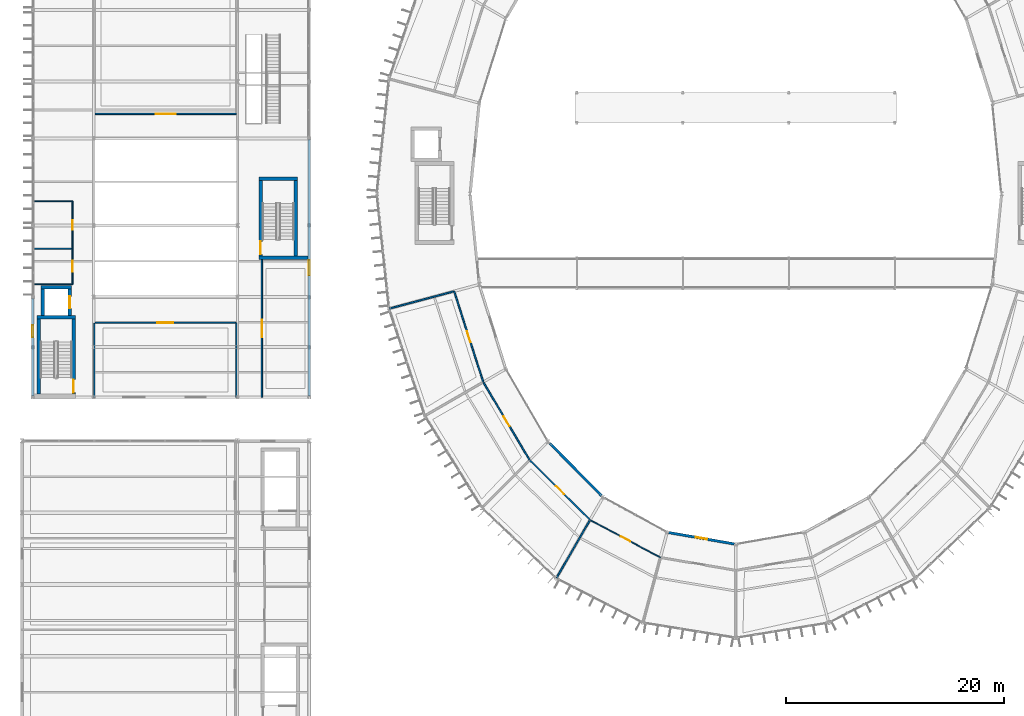
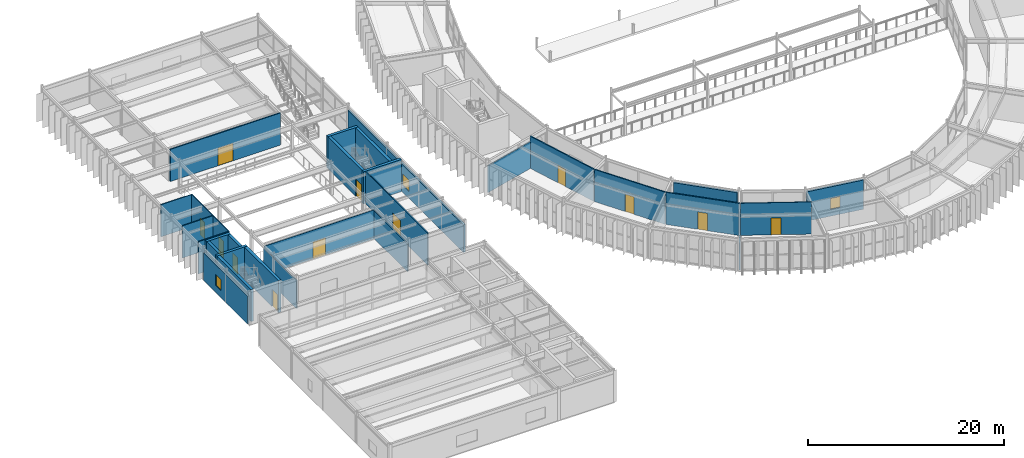
# One storey, part 123 of 147: 30 walls, 12 doors, 3 windows, 15 openings.
"""IFC4 building model written with IfcOpenShell, lengths in metres."""

from ifc_helpers import new_model, si_unit, direction, frame, frame_2d, origin, place, context, subcontext, project, spatial, rectangle, extrude, material, layer, layer_set, type_object, element, fill, save


model = new_model("IFC4")

# Units and contexts
model_context = context("Model", 3, precision=1e-05, world=origin(), true_north=direction((0.0, 1.0)))
body_context = subcontext(model_context, "Body", "Model", "MODEL_VIEW")
ifc_project = project(units=[si_unit("LENGTHUNIT", "METRE"), si_unit("AREAUNIT", "SQUARE_METRE"), si_unit("VOLUMEUNIT", "CUBIC_METRE"), si_unit("PLANEANGLEUNIT", "RADIAN"), si_unit("MASSUNIT", "GRAM", prefix="KILO")], contexts=[model_context])

# Site, building, storey
site_placement = place(None, origin())
site = spatial("IfcSite", under=ifc_project, at=site_placement, CompositionType="ELEMENT")
building_placement = place(site_placement, origin())
building = spatial("IfcBuilding", under=site, at=building_placement, Name="Karori Crest Natural Sciences Institute", CompositionType="ELEMENT")
storey_placement = place(building_placement, frame((0.0, 0.0, 9.10009765625)))
storey = spatial("IfcBuildingStorey", under=building, at=storey_placement, Name="L02", CompositionType="ELEMENT", Elevation=9.10009765625)

# Walls
ifc_material_1 = material(Name="Concrete 50 MPa", Category="concrete")
ifc_layer_1 = layer(ifc_material_1, 0.320068359375, Name="Concrete 50 MPa")
ifc_layer_set_1 = layer_set([ifc_layer_1], Name="Concrete 50 MPa")
wall_type_1 = type_object("IfcWallType", Name="IWT-03", PredefinedType="SHEAR", material=ifc_layer_set_1)
wall_1_placement = place(storey_placement, frame((2.179931640625, 38.56005859375, 0.0), z_axis=(0.0, 0.0, 1.0), x_axis=(1.0, 0.0, 0.0)))
element("IfcWall", 1, at=wall_1_placement, inside=storey, type_object=wall_type_1, Name="Shear wall IW-0238", PredefinedType="SHEAR", context=body_context, shape_type="SweptSolid", body=[
    extrude(rectangle(XDim=3.5400390625, YDim=0.320068359375, at=frame_2d((1.77001953125, 0.0))), origin(), (0.0, 0.0, 1.0), 4.0),
])
wall_2_placement = place(storey_placement, frame((2.340087890625, 31.501953125, 0.0), z_axis=(0.0, 0.0, 1.0), x_axis=(0.0, 1.0, 0.0)))
element("IfcWall", 2, at=wall_2_placement, inside=storey, type_object=wall_type_1, Name="Shear wall IW-0239", PredefinedType="SHEAR", context=body_context, shape_type="SweptSolid", body=[
    extrude(rectangle(XDim=6.89599609375, YDim=0.320068359375, at=frame_2d((3.447998046875, 0.0))), origin(), (0.0, 0.0, 1.0), 4.0),
])

# Wall, opening, door
wall_3_placement = place(storey_placement, frame((5.56005859375, 31.501953125, 0.0), z_axis=(0.0, 0.0, 1.0), x_axis=(0.0, 1.0, 0.0)))
wall_3 = element("IfcWall", 3, at=wall_3_placement, inside=storey, type_object=wall_type_1, Name="Shear wall IW-0240", PredefinedType="SHEAR", context=body_context, shape_type="SweptSolid", body=[
    extrude(rectangle(XDim=6.89599609375, YDim=0.320068359375, at=frame_2d((3.447998046875, 0.0))), origin(), (0.0, 0.0, 1.0), 4.0),
])
opening_1_placement = place(wall_3_placement, frame((0.1201171875, 0.0, 0.0)))
opening_1 = element("IfcOpeningElement", 4, at=opening_1_placement, cuts=wall_3, Name="Opening ID-0060", PredefinedType="OPENING", context=body_context, shape_type="SweptSolid", body=[
    extrude(rectangle(XDim=1.199951171875, YDim=2.14990234375, at=frame_2d((0.60009765625, 1.074951171875))), frame((0.0, 0.169921875, 0.0), z_axis=(0.0, -1.0, 0.0), x_axis=(1.0, 0.0, 0.0)), (0.0, 0.0, 1.0), 0.340087890625),
])
ifc_material_2 = material(Name="Stainless steel 316 and fire-rated timber", Category="steel")
door_type_1 = type_object("IfcDoorType", Name="IDT-01", OperationType="NOTDEFINED", PredefinedType="DOOR", material=ifc_material_2)
door_1_placement = place(opening_1_placement, origin())
door_1 = element("IfcDoor", 5, at=door_1_placement, inside=storey, type_object=door_type_1, Name="Stair ST-07 fire door ID-0060", OperationType="SINGLE_SWING_RIGHT", OverallHeight=2.14990234375, OverallWidth=1.199951171875, PredefinedType="DOOR", context=body_context, shape_type="SweptSolid", body=[
    extrude(rectangle(XDim=1.199951171875, YDim=2.14990234375, at=frame_2d((0.60009765625, 1.074951171875))), frame((0.0, 0.02490234375, 0.0), z_axis=(0.0, -1.0, 0.0), x_axis=(1.0, 0.0, 0.0)), (0.0, 0.0, 1.0), 0.050048828125),
])
fill(opening_1, door_1)

# Walls
wall_4_placement = place(storey_placement, frame((22.580078125, 44.0400390625, 0.0), z_axis=(0.0, 0.0, 1.0), x_axis=(1.0, 0.0, 0.0)))
element("IfcWall", 6, at=wall_4_placement, inside=storey, type_object=wall_type_1, Name="Shear wall IW-0261", PredefinedType="SHEAR", context=body_context, shape_type="SweptSolid", body=[
    extrude(rectangle(XDim=4.48486328125, YDim=0.320068359375, at=frame_2d((2.242431640625, 0.0))), origin(), (0.0, 0.0, 1.0), 4.0),
])
wall_5_placement = place(storey_placement, frame((22.580078125, 51.260009765625, 0.0), z_axis=(0.0, 0.0, 1.0), x_axis=(1.0, 0.0, 0.0)))
element("IfcWall", 7, at=wall_5_placement, inside=storey, type_object=wall_type_1, Name="Shear wall IW-0262", PredefinedType="SHEAR", context=body_context, shape_type="SweptSolid", body=[
    extrude(rectangle(XDim=3.5400390625, YDim=0.320068359375, at=frame_2d((1.77001953125, 0.0))), origin(), (0.0, 0.0, 1.0), 4.0),
])

# Wall, opening, door
wall_6_placement = place(storey_placement, frame((22.739990234375, 44.201904296875, 0.0), z_axis=(0.0, 0.0, 1.0), x_axis=(0.0, 1.0, 0.0)))
wall_6 = element("IfcWall", 8, at=wall_6_placement, inside=storey, type_object=wall_type_1, Name="Shear wall IW-0263", PredefinedType="SHEAR", context=body_context, shape_type="SweptSolid", body=[
    extrude(rectangle(XDim=6.89599609375, YDim=0.320068359375, at=frame_2d((3.447998046875, 0.0))), origin(), (0.0, 0.0, 1.0), 4.0),
])
opening_2_placement = place(wall_6_placement, frame((0.1201171875, 0.0, 0.0)))
opening_2 = element("IfcOpeningElement", 9, at=opening_2_placement, cuts=wall_6, Name="Opening ID-0066", PredefinedType="OPENING", context=body_context, shape_type="SweptSolid", body=[
    extrude(rectangle(XDim=1.199951171875, YDim=2.14990234375, at=frame_2d((0.60009765625, 1.074951171875))), frame((0.0, 0.169921875, 0.0), z_axis=(0.0, -1.0, 0.0), x_axis=(1.0, 0.0, 0.0)), (0.0, 0.0, 1.0), 0.340087890625),
])
door_2_placement = place(opening_2_placement, origin())
door_2 = element("IfcDoor", 10, at=door_2_placement, inside=storey, type_object=door_type_1, Name="Stair ST-08 fire door ID-0066", OperationType="SINGLE_SWING_RIGHT", OverallHeight=2.14990234375, OverallWidth=1.199951171875, PredefinedType="DOOR", context=body_context, shape_type="SweptSolid", body=[
    extrude(rectangle(XDim=1.199951171875, YDim=2.14990234375, at=frame_2d((0.60009765625, 1.074951171875))), frame((0.0, 0.02490234375, 0.0), z_axis=(0.0, -1.0, 0.0), x_axis=(1.0, 0.0, 0.0)), (0.0, 0.0, 1.0), 0.050048828125),
])
fill(opening_2, door_2)

# Walls
wall_7_placement = place(storey_placement, frame((25.9599609375, 44.201904296875, 0.0), z_axis=(0.0, 0.0, 1.0), x_axis=(0.0, 1.0, 0.0)))
element("IfcWall", 11, at=wall_7_placement, inside=storey, type_object=wall_type_1, Name="Shear wall IW-0264", PredefinedType="SHEAR", context=body_context, shape_type="SweptSolid", body=[
    extrude(rectangle(XDim=6.89599609375, YDim=0.320068359375, at=frame_2d((3.447998046875, 0.0))), origin(), (0.0, 0.0, 1.0), 4.0),
])
wall_8_placement = place(storey_placement, frame((2.544921875, 41.294921875, 0.0), z_axis=(0.0, 0.0, 1.0), x_axis=(1.0, 0.0, 0.0)))
element("IfcWall", 12, at=wall_8_placement, inside=storey, type_object=wall_type_1, Name="Shear wall IW-0478", PredefinedType="SHEAR", context=body_context, shape_type="SweptSolid", body=[
    extrude(rectangle(XDim=2.81005859375, YDim=0.320068359375, at=frame_2d((1.405029296875, 0.0))), origin(), (0.0, 0.0, 1.0), 4.0),
])
wall_9_placement = place(storey_placement, frame((2.705078125, 38.721923828125, 0.0), z_axis=(0.0, 0.0, 1.0), x_axis=(0.0, 1.0, 0.0)))
element("IfcWall", 13, at=wall_9_placement, inside=storey, type_object=wall_type_1, Name="Shear wall IW-0479", PredefinedType="SHEAR", context=body_context, shape_type="SweptSolid", body=[
    extrude(rectangle(XDim=2.4111328125, YDim=0.320068359375, at=frame_2d((1.20556640625, 0.0))), origin(), (0.0, 0.0, 1.0), 4.0),
])

# Wall, opening, door
wall_10_placement = place(storey_placement, frame((5.195068359375, 38.721923828125, 0.0), z_axis=(0.0, 0.0, 1.0), x_axis=(0.0, 1.0, 0.0)))
wall_10 = element("IfcWall", 14, at=wall_10_placement, inside=storey, type_object=wall_type_1, Name="Shear wall IW-0480", PredefinedType="SHEAR", context=body_context, shape_type="SweptSolid", body=[
    extrude(rectangle(XDim=2.4111328125, YDim=0.320068359375, at=frame_2d((1.20556640625, 0.0))), origin(), (0.0, 0.0, 1.0), 4.0),
])
opening_3_placement = place(wall_10_placement, frame((0.655517578125, 0.0, 0.0)))
opening_3 = element("IfcOpeningElement", 15, at=opening_3_placement, cuts=wall_10, Name="Opening LD-0045", PredefinedType="OPENING", context=body_context, shape_type="SweptSolid", body=[
    extrude(rectangle(XDim=1.10009765625, YDim=2.14990234375, at=frame_2d((0.550048828125, 1.074951171875))), frame((0.0, 0.169921875, 0.0), z_axis=(0.0, -1.0, 0.0), x_axis=(1.0, 0.0, 0.0)), (0.0, 0.0, 1.0), 0.340087890625),
])
door_type_2 = type_object("IfcDoorType", Name="LDT-01", OperationType="SLIDING_TO_LEFT", PredefinedType="DOOR", material=ifc_material_2)
door_3_placement = place(opening_3_placement, origin())
door_3 = element("IfcDoor", 16, at=door_3_placement, inside=storey, type_object=door_type_2, Name="Lift LP-03 landing door LD-0045", OperationType="SLIDING_TO_LEFT", OverallHeight=2.14990234375, OverallWidth=1.10009765625, PredefinedType="DOOR", context=body_context, shape_type="SweptSolid", body=[
    extrude(rectangle(XDim=1.10009765625, YDim=2.14990234375, at=frame_2d((0.550048828125, 1.074951171875))), frame((0.0, 0.02490234375, 0.0), z_axis=(0.0, -1.0, 0.0), x_axis=(1.0, 0.0, 0.0)), (0.0, 0.0, 1.0), 0.050048828125),
])
fill(opening_3, door_3)

ifc_material_3 = material(Name="Laboratory acoustic drywall partition")
ifc_layer_2 = layer(ifc_material_3, 0.139892578125, Name="Laboratory acoustic drywall partition")
ifc_layer_set_2 = layer_set([ifc_layer_2], Name="Laboratory acoustic drywall partition")
wall_type_2 = type_object("IfcWallType", Name="IWT-07", PredefinedType="PARTITIONING", material=ifc_layer_set_2)
wall_11_placement = place(storey_placement, frame((7.531982421875, 57.25, 0.0), z_axis=(0.0, 0.0, 1.0), x_axis=(1.0, 0.0, 0.0)))
wall_11 = element("IfcWall", 17, at=wall_11_placement, inside=storey, type_object=wall_type_2, Name="Partition wall IW-1103", PredefinedType="PARTITIONING", context=body_context, shape_type="SweptSolid", body=[
    extrude(rectangle(XDim=12.968017578125, YDim=0.139892578125, at=frame_2d((6.48388671875, 0.0))), origin(), (0.0, 0.0, 1.0), 4.0),
])
opening_4_placement = place(wall_11_placement, frame((5.583984375, 0.0, 0.0)))
opening_4 = element("IfcOpeningElement", 18, at=opening_4_placement, cuts=wall_11, Name="Opening ID-0320", PredefinedType="OPENING", context=body_context, shape_type="SweptSolid", body=[
    extrude(rectangle(XDim=1.800048828125, YDim=2.199951171875, at=frame_2d((0.89990234375, 1.10009765625))), frame((0.0, 0.080078125, 0.0), z_axis=(0.0, -1.0, 0.0), x_axis=(1.0, 0.0, 0.0)), (0.0, 0.0, 1.0), 0.159912109375),
])
door_type_3 = type_object("IfcDoorType", Name="IDT-15", OperationType="DOUBLE_DOOR_SINGLE_SWING", PredefinedType="DOOR", material=ifc_material_2)
door_4_placement = place(opening_4_placement, origin())
door_4 = element("IfcDoor", 19, at=door_4_placement, inside=storey, type_object=door_type_3, Name="Geological Collections Exhibition Gallery door ID-0320", OperationType="DOUBLE_DOOR_SINGLE_SWING", OverallHeight=2.199951171875, OverallWidth=1.800048828125, PredefinedType="DOOR", context=body_context, shape_type="SweptSolid", body=[
    extrude(rectangle(XDim=1.800048828125, YDim=2.199951171875, at=frame_2d((0.89990234375, 1.10009765625))), frame((0.0, 0.02490234375, 0.0), z_axis=(0.0, -1.0, 0.0), x_axis=(1.0, 0.0, 0.0)), (0.0, 0.0, 1.0), 0.050048828125),
])
fill(opening_4, door_4)

wall_12_placement = place(storey_placement, frame((40.51318359375, 40.94482421875, 0.0), z_axis=(0.0, 0.0, 1.0), x_axis=(0.305493323507, -0.952194218263, 0.0)))
wall_12 = element("IfcWall", 20, at=wall_12_placement, inside=storey, type_object=wall_type_2, Name="Partition wall IW-1269", PredefinedType="PARTITIONING", context=body_context, shape_type="SweptSolid", body=[
    extrude(rectangle(XDim=8.763671875, YDim=0.139892578125, at=frame_2d((4.3818359375, 0.0))), origin(), (0.0, 0.0, 1.0), 4.0),
])
opening_5_placement = place(wall_12_placement, frame((3.85693359375, 0.0, 0.0)))
opening_5 = element("IfcOpeningElement", 21, at=opening_5_placement, cuts=wall_12, Name="Opening ID-0391", PredefinedType="OPENING", context=body_context, shape_type="SweptSolid", body=[
    extrude(rectangle(XDim=1.050048828125, YDim=2.14990234375, at=frame_2d((0.52490234375, 1.074951171875))), frame((0.0, 0.080078125, 0.0), z_axis=(0.0, -1.0, 0.0), x_axis=(1.0, 0.0, 0.0)), (0.0, 0.0, 1.0), 0.159912109375),
])
door_type_4 = type_object("IfcDoorType", Name="IDT-03", OperationType="NOTDEFINED", PredefinedType="DOOR", material=ifc_material_2)
door_5_placement = place(opening_5_placement, origin())
door_5 = element("IfcDoor", 22, at=door_5_placement, inside=storey, type_object=door_type_4, Name="Dry Optics Physics Laboratory door ID-0391", OperationType="SINGLE_SWING_RIGHT", OverallHeight=2.14990234375, OverallWidth=1.050048828125, PredefinedType="DOOR", context=body_context, shape_type="SweptSolid", body=[
    extrude(rectangle(XDim=1.050048828125, YDim=2.14990234375, at=frame_2d((0.52490234375, 1.074951171875))), frame((0.0, 0.02490234375, 0.0), z_axis=(0.0, -1.0, 0.0), x_axis=(1.0, 0.0, 0.0)), (0.0, 0.0, 1.0), 0.050048828125),
])
fill(opening_5, door_5)

# Wall
wall_13_placement = place(storey_placement, frame((40.435791015625, 40.92431640625, 0.0), z_axis=(0.0, 0.0, 1.0), x_axis=(-0.965916578341, -0.258853556448, 0.0)))
element("IfcWall", 23, at=wall_13_placement, inside=storey, type_object=wall_type_2, Name="Partition wall IW-1270", PredefinedType="PARTITIONING", context=body_context, shape_type="SweptSolid", body=[
    extrude(rectangle(XDim=6.059814453125, YDim=0.139892578125, at=frame_2d((3.02978515625, 0.0))), origin(), (0.0, 0.0, 1.0), 3.322998046875),
])

# Wall, opening, door
wall_14_placement = place(storey_placement, frame((43.227294921875, 32.5380859375, 0.0), z_axis=(0.0, 0.0, 1.0), x_axis=(0.510911392115, -0.859633380812, 0.0)))
wall_14 = element("IfcWall", 24, at=wall_14_placement, inside=storey, type_object=wall_type_2, Name="Partition wall IW-1272", PredefinedType="PARTITIONING", context=body_context, shape_type="SweptSolid", body=[
    extrude(rectangle(XDim=8.263916015625, YDim=0.139892578125, at=frame_2d((4.1318359375, 0.0))), origin(), (0.0, 0.0, 1.0), 4.0),
])
opening_6_placement = place(wall_14_placement, frame((3.60693359375, 0.0, 0.0)))
opening_6 = element("IfcOpeningElement", 25, at=opening_6_placement, cuts=wall_14, Name="Opening ID-0392", PredefinedType="OPENING", context=body_context, shape_type="SweptSolid", body=[
    extrude(rectangle(XDim=1.050048828125, YDim=2.14990234375, at=frame_2d((0.52490234375, 1.074951171875))), frame((0.0, 0.080078125, 0.0), z_axis=(0.0, -1.0, 0.0), x_axis=(1.0, 0.0, 0.0)), (0.0, 0.0, 1.0), 0.159912109375),
])
door_6_placement = place(opening_6_placement, origin())
door_6 = element("IfcDoor", 26, at=door_6_placement, inside=storey, type_object=door_type_4, Name="Mass Spectrometry Instrument Room door ID-0392", OperationType="SINGLE_SWING_LEFT", OverallHeight=2.14990234375, OverallWidth=1.050048828125, PredefinedType="DOOR", context=body_context, shape_type="SweptSolid", body=[
    extrude(rectangle(XDim=1.050048828125, YDim=2.14990234375, at=frame_2d((0.52490234375, 1.074951171875))), frame((0.0, 0.02490234375, 0.0), z_axis=(0.0, -1.0, 0.0), x_axis=(1.0, 0.0, 0.0)), (0.0, 0.0, 1.0), 0.050048828125),
])
fill(opening_6, door_6)

wall_15_placement = place(storey_placement, frame((47.500732421875, 25.38330078125, 0.0), z_axis=(0.0, 0.0, 1.0), x_axis=(0.71042636545, -0.703771539119, 0.0)))
wall_15 = element("IfcWall", 27, at=wall_15_placement, inside=storey, type_object=wall_type_2, Name="Partition wall IW-1274", PredefinedType="PARTITIONING", context=body_context, shape_type="SweptSolid", body=[
    extrude(rectangle(XDim=7.74072265625, YDim=0.139892578125, at=frame_2d((3.870361328125, 0.0))), origin(), (0.0, 0.0, 1.0), 4.0),
])
opening_7_placement = place(wall_15_placement, frame((3.345458984375, 0.0, 0.0)))
opening_7 = element("IfcOpeningElement", 28, at=opening_7_placement, cuts=wall_15, Name="Opening ID-0393", PredefinedType="OPENING", context=body_context, shape_type="SweptSolid", body=[
    extrude(rectangle(XDim=1.050048828125, YDim=2.14990234375, at=frame_2d((0.52490234375, 1.074951171875))), frame((0.0, 0.080078125, 0.0), z_axis=(0.0, -1.0, 0.0), x_axis=(1.0, 0.0, 0.0)), (0.0, 0.0, 1.0), 0.159912109375),
])
door_7_placement = place(opening_7_placement, origin())
door_7 = element("IfcDoor", 29, at=door_7_placement, inside=storey, type_object=door_type_4, Name="Atmospheric Physics Laboratory door ID-0393", OperationType="SINGLE_SWING_RIGHT", OverallHeight=2.14990234375, OverallWidth=1.050048828125, PredefinedType="DOOR", context=body_context, shape_type="SweptSolid", body=[
    extrude(rectangle(XDim=1.050048828125, YDim=2.14990234375, at=frame_2d((0.52490234375, 1.074951171875))), frame((0.0, 0.02490234375, 0.0), z_axis=(0.0, -1.0, 0.0), x_axis=(1.0, 0.0, 0.0)), (0.0, 0.0, 1.0), 0.050048828125),
])
fill(opening_7, door_7)

# Wall
wall_16_placement = place(storey_placement, frame((52.9599609375, 19.8662109375, 0.0), z_axis=(0.0, 0.0, 1.0), x_axis=(-0.500008418462, -0.866020543329, 0.0)))
element("IfcWall", 30, at=wall_16_placement, inside=storey, type_object=wall_type_2, Name="Partition wall IW-1275", PredefinedType="PARTITIONING", context=body_context, shape_type="SweptSolid", body=[
    extrude(rectangle(XDim=6.06005859375, YDim=0.139892578125, at=frame_2d((3.030029296875, 0.0))), origin(), (0.0, 0.0, 1.0), 3.31298828125),
])

# Wall, opening, door
ifc_material_4 = material(Name="Write-up office acoustic partition")
ifc_layer_3 = layer(ifc_material_4, 0.1201171875, Name="Write-up office acoustic partition")
ifc_layer_set_3 = layer_set([ifc_layer_3], Name="Write-up office acoustic partition")
wall_type_3 = type_object("IfcWallType", Name="IWT-08", PredefinedType="PARTITIONING", material=ifc_layer_set_3)
wall_17_placement = place(storey_placement, frame((7.531982421875, 38.050048828125, 0.0), z_axis=(0.0, 0.0, 1.0), x_axis=(1.0, 0.0, 0.0)))
wall_17 = element("IfcWall", 31, at=wall_17_placement, inside=storey, type_object=wall_type_3, Name="Partition wall IW-1106", PredefinedType="PARTITIONING", context=body_context, shape_type="SweptSolid", body=[
    extrude(rectangle(XDim=12.89599609375, YDim=0.1201171875, at=frame_2d((6.447998046875, 0.0))), origin(), (0.0, 0.0, 1.0), 3.597900390625),
])
opening_8_placement = place(wall_17_placement, frame((5.722900390625, 0.0, 0.0)))
opening_8 = element("IfcOpeningElement", 32, at=opening_8_placement, cuts=wall_17, Name="Opening ID-0321", PredefinedType="OPENING", context=body_context, shape_type="SweptSolid", body=[
    extrude(rectangle(XDim=1.449951171875, YDim=2.1201171875, at=frame_2d((0.72509765625, 1.06005859375))), frame((0.0, 0.070068359375, 0.0), z_axis=(0.0, -1.0, 0.0), x_axis=(1.0, 0.0, 0.0)), (0.0, 0.0, 1.0), 0.14013671875),
])
ifc_material_5 = material(Name="Anodised aluminium and acoustic timber", Category="wood")
door_type_5 = type_object("IfcDoorType", Name="IDT-11", OperationType="DOUBLE_DOOR_SINGLE_SWING", PredefinedType="DOOR", material=ifc_material_5)
door_8_placement = place(opening_8_placement, origin())
door_8 = element("IfcDoor", 33, at=door_8_placement, inside=storey, type_object=door_type_5, Name="Science Library Reading Room door ID-0321", OperationType="DOUBLE_DOOR_SINGLE_SWING", OverallHeight=2.1201171875, OverallWidth=1.449951171875, PredefinedType="DOOR", context=body_context, shape_type="SweptSolid", body=[
    extrude(rectangle(XDim=1.449951171875, YDim=2.1201171875, at=frame_2d((0.72509765625, 1.06005859375))), frame((0.0, 0.02490234375, 0.0), z_axis=(0.0, -1.0, 0.0), x_axis=(1.0, 0.0, 0.0)), (0.0, 0.0, 1.0), 0.050048828125),
])
fill(opening_8, door_8)

# Walls
wall_18_placement = place(storey_placement, frame((7.449951171875, 31.199951171875, 0.0), z_axis=(0.0, 0.0, 1.0), x_axis=(0.0, 1.0, 0.0)))
element("IfcWall", 34, at=wall_18_placement, inside=storey, type_object=wall_type_3, Name="Partition wall IW-1107", PredefinedType="PARTITIONING", context=body_context, shape_type="SweptSolid", body=[
    extrude(rectangle(XDim=6.7880859375, YDim=0.1201171875, at=frame_2d((3.39404296875, 0.0))), origin(), (0.0, 0.0, 1.0), 3.44482421875),
])
wall_19_placement = place(storey_placement, frame((20.5, 31.199951171875, 0.0), z_axis=(0.0, 0.0, 1.0), x_axis=(0.0, 1.0, 0.0)))
element("IfcWall", 35, at=wall_19_placement, inside=storey, type_object=wall_type_3, Name="Partition wall IW-1108", PredefinedType="PARTITIONING", context=body_context, shape_type="SweptSolid", body=[
    extrude(rectangle(XDim=6.85009765625, YDim=0.1201171875, at=frame_2d((3.425048828125, 0.0))), origin(), (0.0, 0.0, 1.0), 3.44482421875),
])

# Wall, opening, door
wall_20_placement = place(storey_placement, frame((22.85009765625, 31.199951171875, 0.0), z_axis=(0.0, 0.0, 1.0), x_axis=(0.0, 1.0, 0.0)))
wall_20 = element("IfcWall", 36, at=wall_20_placement, inside=storey, type_object=wall_type_3, Name="Partition wall IW-1109", PredefinedType="PARTITIONING", context=body_context, shape_type="SweptSolid", body=[
    extrude(rectangle(XDim=12.679931640625, YDim=0.1201171875, at=frame_2d((6.33984375, 0.0))), origin(), (0.0, 0.0, 1.0), 4.0),
])
opening_9_placement = place(wall_20_placement, frame((5.5400390625, 0.0, 0.0)))
opening_9 = element("IfcOpeningElement", 37, at=opening_9_placement, cuts=wall_20, Name="Opening ID-0322", PredefinedType="OPENING", context=body_context, shape_type="SweptSolid", body=[
    extrude(rectangle(XDim=1.60009765625, YDim=2.179931640625, at=frame_2d((0.800048828125, 1.08984375))), frame((0.0, 0.070068359375, 0.0), z_axis=(0.0, -1.0, 0.0), x_axis=(1.0, 0.0, 0.0)), (0.0, 0.0, 1.0), 0.14013671875),
])
door_type_6 = type_object("IfcDoorType", Name="IDT-13", OperationType="DOUBLE_DOOR_SINGLE_SWING", PredefinedType="DOOR", material=ifc_material_5)
door_9_placement = place(opening_9_placement, origin())
door_9 = element("IfcDoor", 38, at=door_9_placement, inside=storey, type_object=door_type_6, Name="Interdisciplinary Seminar Room door ID-0322", OperationType="DOUBLE_DOOR_SINGLE_SWING", OverallHeight=2.179931640625, OverallWidth=1.60009765625, PredefinedType="DOOR", context=body_context, shape_type="SweptSolid", body=[
    extrude(rectangle(XDim=1.60009765625, YDim=2.179931640625, at=frame_2d((0.800048828125, 1.08984375))), frame((0.0, 0.02490234375, 0.0), z_axis=(0.0, -1.0, 0.0), x_axis=(1.0, 0.0, 0.0)), (0.0, 0.0, 1.0), 0.050048828125),
])
fill(opening_9, door_9)

# Walls
ifc_material_6 = material(Name="Washroom moisture-resistant partition")
ifc_layer_4 = layer(ifc_material_6, 0.10009765625, Name="Washroom moisture-resistant partition")
ifc_layer_set_4 = layer_set([ifc_layer_4], Name="Washroom moisture-resistant partition")
wall_type_4 = type_object("IfcWallType", Name="IWT-09", PredefinedType="PARTITIONING", material=ifc_layer_set_4)
for number, where, z_axis, x_axis, name in (
    (39, (1.800048828125, 41.60009765625, 0.0), (0.0, 0.0, 1.0), (1.0, 0.0, 0.0), "Partition wall IW-1110"),
    (40, (1.800048828125, 44.85009765625, 0.0), (0.0, 0.0, 1.0), (1.0, 0.0, 0.0), "Partition wall IW-1111"),
):
    element("IfcWall", number, at=place(storey_placement, frame(where, z_axis=z_axis, x_axis=x_axis)), inside=storey, type_object=wall_type_4, Name=name, PredefinedType="PARTITIONING", context=body_context, shape_type="SweptSolid", body=[
        extrude(rectangle(XDim=3.64990234375, YDim=0.10009765625, at=frame_2d((1.824951171875, 0.0))), origin(), (0.0, 0.0, 1.0), 4.0),
    ])

# Wall, opening, door
wall_21_placement = place(storey_placement, frame((5.449951171875, 41.60009765625, 0.0), z_axis=(0.0, 0.0, 1.0), x_axis=(0.0, 1.0, 0.0)))
wall_21 = element("IfcWall", 41, at=wall_21_placement, inside=storey, type_object=wall_type_4, Name="Partition wall IW-1112", PredefinedType="PARTITIONING", context=body_context, shape_type="SweptSolid", body=[
    extrude(rectangle(XDim=3.25, YDim=0.10009765625, at=frame_2d((1.625, 0.0))), origin(), (0.0, 0.0, 1.0), 4.0),
])
opening_10_placement = place(wall_21_placement, frame((1.125, 0.0, 0.0)))
opening_10 = element("IfcOpeningElement", 42, at=opening_10_placement, cuts=wall_21, Name="Opening ID-0323", PredefinedType="OPENING", context=body_context, shape_type="SweptSolid", body=[
    extrude(rectangle(XDim=1.0, YDim=2.10009765625, at=frame_2d((0.5, 1.050048828125))), frame((0.0, 0.06005859375, 0.0), z_axis=(0.0, -1.0, 0.0), x_axis=(1.0, 0.0, 0.0)), (0.0, 0.0, 1.0), 0.1201171875),
])
door_type_7 = type_object("IfcDoorType", Name="IDT-09", OperationType="NOTDEFINED", PredefinedType="DOOR", material=ifc_material_5)
door_10_placement = place(opening_10_placement, origin())
door_10 = element("IfcDoor", 43, at=door_10_placement, inside=storey, type_object=door_type_7, Name="Accessible WC door ID-0323", OperationType="SINGLE_SWING_RIGHT", OverallHeight=2.10009765625, OverallWidth=1.0, PredefinedType="DOOR", context=body_context, shape_type="SweptSolid", body=[
    extrude(rectangle(XDim=1.0, YDim=2.10009765625, at=frame_2d((0.5, 1.050048828125))), frame((0.0, 0.02490234375, 0.0), z_axis=(0.0, -1.0, 0.0), x_axis=(1.0, 0.0, 0.0)), (0.0, 0.0, 1.0), 0.050048828125),
])
fill(opening_10, door_10)

# Wall
wall_22_placement = place(storey_placement, frame((1.800048828125, 49.199951171875, 0.0), z_axis=(0.0, 0.0, 1.0), x_axis=(1.0, 0.0, 0.0)))
element("IfcWall", 44, at=wall_22_placement, inside=storey, type_object=wall_type_4, Name="Partition wall IW-1113", PredefinedType="PARTITIONING", context=body_context, shape_type="SweptSolid", body=[
    extrude(rectangle(XDim=3.64990234375, YDim=0.10009765625, at=frame_2d((1.824951171875, 0.0))), origin(), (0.0, 0.0, 1.0), 4.0),
])

# Wall, opening, door
wall_23_placement = place(storey_placement, frame((5.449951171875, 44.85205078125, 0.0), z_axis=(0.0, 0.0, 1.0), x_axis=(0.0, 1.0, 0.0)))
wall_23 = element("IfcWall", 45, at=wall_23_placement, inside=storey, type_object=wall_type_4, Name="Partition wall IW-1114", PredefinedType="PARTITIONING", context=body_context, shape_type="SweptSolid", body=[
    extrude(rectangle(XDim=4.347900390625, YDim=0.10009765625, at=frame_2d((2.173828125, 0.0))), origin(), (0.0, 0.0, 1.0), 4.0),
])
opening_11_placement = place(wall_23_placement, frame((1.73388671875, 0.0, 0.0)))
opening_11 = element("IfcOpeningElement", 46, at=opening_11_placement, cuts=wall_23, Name="Opening ID-0324", PredefinedType="OPENING", context=body_context, shape_type="SweptSolid", body=[
    extrude(rectangle(XDim=0.8798828125, YDim=2.080078125, at=frame_2d((0.43994140625, 1.0400390625))), frame((0.0, 0.06005859375, 0.0), z_axis=(0.0, -1.0, 0.0), x_axis=(1.0, 0.0, 0.0)), (0.0, 0.0, 1.0), 0.1201171875),
])
door_type_8 = type_object("IfcDoorType", Name="IDT-10", OperationType="NOTDEFINED", PredefinedType="DOOR", material=ifc_material_5)
door_11_placement = place(opening_11_placement, origin())
door_11 = element("IfcDoor", 47, at=door_11_placement, inside=storey, type_object=door_type_8, Name="Staff Washroom WC door ID-0324", OperationType="SINGLE_SWING_LEFT", OverallHeight=2.080078125, OverallWidth=0.8798828125, PredefinedType="DOOR", context=body_context, shape_type="SweptSolid", body=[
    extrude(rectangle(XDim=0.8798828125, YDim=2.080078125, at=frame_2d((0.43994140625, 1.0400390625))), frame((0.0, 0.02490234375, 0.0), z_axis=(0.0, -1.0, 0.0), x_axis=(1.0, 0.0, 0.0)), (0.0, 0.0, 1.0), 0.050048828125),
])
fill(opening_11, door_11)

wall_24_placement = place(storey_placement, frame((53.0634765625, 19.901611328125, 0.0), z_axis=(0.0, 0.0, 1.0), x_axis=(0.881826283139, -0.471574391125, 0.0)))
wall_24 = element("IfcWall", 48, at=wall_24_placement, inside=storey, type_object=wall_type_4, Name="Partition wall IW-1276", PredefinedType="PARTITIONING", context=body_context, shape_type="SweptSolid", body=[
    extrude(rectangle(XDim=7.2578125, YDim=0.10009765625, at=frame_2d((3.62890625, 0.0))), origin(), (0.0, 0.0, 1.0), 4.0),
])
opening_12_placement = place(wall_24_placement, frame((3.12890625, 0.0, 0.0)))
opening_12 = element("IfcOpeningElement", 49, at=opening_12_placement, cuts=wall_24, Name="Opening ID-0394", PredefinedType="OPENING", context=body_context, shape_type="SweptSolid", body=[
    extrude(rectangle(XDim=1.0, YDim=2.10009765625, at=frame_2d((0.5, 1.050048828125))), frame((0.0, 0.06005859375, 0.0), z_axis=(0.0, -1.0, 0.0), x_axis=(1.0, 0.0, 0.0)), (0.0, 0.0, 1.0), 0.1201171875),
])
door_12_placement = place(opening_12_placement, origin())
door_12 = element("IfcDoor", 50, at=door_12_placement, inside=storey, type_object=door_type_7, Name="Laboratory Washroom WC door ID-0394", OperationType="SINGLE_SWING_LEFT", OverallHeight=2.10009765625, OverallWidth=1.0, PredefinedType="DOOR", context=body_context, shape_type="SweptSolid", body=[
    extrude(rectangle(XDim=1.0, YDim=2.10009765625, at=frame_2d((0.5, 1.050048828125))), frame((0.0, 0.02490234375, 0.0), z_axis=(0.0, -1.0, 0.0), x_axis=(1.0, 0.0, 0.0)), (0.0, 0.0, 1.0), 0.050048828125),
])
fill(opening_12, door_12)

# Wall
ifc_material_7 = material(Name="Precast concrete 40 MPa", Category="concrete")
ifc_layer_5 = layer(ifc_material_7, 0.239990234375, Name="Precast concrete 40 MPa")
ifc_layer_set_5 = layer_set([ifc_layer_5], Name="Precast concrete 40 MPa")
wall_type_5 = type_object("IfcWallType", Name="WT-04", PredefinedType="SOLIDWALL", material=ifc_layer_set_5)
wall_25_placement = place(storey_placement, frame((49.298583984375, 26.977294921875, 0.0), z_axis=(0.0, 0.0, 1.0), x_axis=(0.702651385176, -0.711534279505, 0.0)))
element("IfcWall", 51, at=wall_25_placement, inside=storey, type_object=wall_type_5, Name="Exterior wall EW-0059", PredefinedType="SOLIDWALL", context=body_context, shape_type="SweptSolid", body=[
    extrude(rectangle(XDim=6.76123046875, YDim=0.239990234375, at=frame_2d((3.380615234375, 0.0))), origin(), (0.0, 0.0, 1.0), 3.64990234375),
])

# Wall, opening, window
wall_26_placement = place(storey_placement, frame((60.21728515625, 18.774169921875, 0.0), z_axis=(0.0, 0.0, 1.0), x_axis=(0.985241011519, -0.171172863562, 0.0)))
wall_26 = element("IfcWall", 52, at=wall_26_placement, inside=storey, type_object=wall_type_5, Name="Exterior wall EW-0060", PredefinedType="SOLIDWALL", context=body_context, shape_type="SweptSolid", body=[
    extrude(rectangle(XDim=6.12158203125, YDim=0.239990234375, at=frame_2d((3.060791015625, 0.0))), origin(), (0.0, 0.0, 1.0), 3.64990234375),
])
opening_13_placement = place(wall_26_placement, frame((2.535888671875, 0.0, 0.85009765625)))
opening_13 = element("IfcOpeningElement", 53, at=opening_13_placement, cuts=wall_26, Name="Opening WN-0020", PredefinedType="OPENING", context=body_context, shape_type="SweptSolid", body=[
    extrude(rectangle(XDim=1.050048828125, YDim=1.35009765625, at=frame_2d((0.52490234375, 0.675048828125))), frame((0.0, 0.1298828125, 0.0), z_axis=(0.0, -1.0, 0.0), x_axis=(1.0, 0.0, 0.0)), (0.0, 0.0, 1.0), 0.260009765625),
])
ifc_material_8 = material(Name="Double low-E laminated glass", Category="glass")
window_type_1 = type_object("IfcWindowType", Name="WNT-18", PartitioningType="SINGLE_PANEL", PredefinedType="WINDOW", material=ifc_material_8)
window_1_placement = place(opening_13_placement, origin())
window_1 = element("IfcWindow", 54, at=window_1_placement, inside=storey, type_object=window_type_1, Name="Window WN-0020", OverallHeight=1.35009765625, OverallWidth=1.050048828125, PartitioningType="SINGLE_PANEL", PredefinedType="WINDOW", context=body_context, shape_type="SweptSolid", body=[
    extrude(rectangle(XDim=1.050048828125, YDim=1.35009765625, at=frame_2d((0.52490234375, 0.675048828125))), frame((0.0, 0.030029296875, 0.0), z_axis=(0.0, -1.0, 0.0), x_axis=(1.0, 0.0, 0.0)), (0.0, 0.0, 1.0), 0.06005859375),
])
fill(opening_13, window_1)

ifc_layer_6 = layer(ifc_material_7, 0.219970703125, Name="Precast concrete 40 MPa")
ifc_layer_set_6 = layer_set([ifc_layer_6], Name="Precast concrete 40 MPa")
wall_type_6 = type_object("IfcWallType", Name="WT-05", PredefinedType="SOLIDWALL", material=ifc_layer_set_6)
wall_27_placement = place(storey_placement, frame((1.800048828125, 31.322998046875, 0.0), z_axis=(0.0, 0.0, 1.0), x_axis=(0.0, 1.0, 0.0)))
wall_27 = element("IfcWall", 55, at=wall_27_placement, inside=storey, type_object=wall_type_6, Name="Exterior wall EW-0141", PredefinedType="SOLIDWALL", context=body_context, shape_type="SweptSolid", body=[
    extrude(rectangle(XDim=8.9541015625, YDim=0.219970703125, at=frame_2d((4.47705078125, 0.0))), origin(), (0.0, 0.0, 1.0), 3.44482421875),
])
opening_14_placement = place(wall_27_placement, frame((5.39990234375, 0.0, 0.85009765625)))
opening_14 = element("IfcOpeningElement", 56, at=opening_14_placement, cuts=wall_27, Name="Opening WN-0080", PredefinedType="OPENING", context=body_context, shape_type="SweptSolid", body=[
    extrude(rectangle(XDim=1.10009765625, YDim=1.39990234375, at=frame_2d((0.550048828125, 0.699951171875))), frame((0.0, 0.1201171875, 0.0), z_axis=(0.0, -1.0, 0.0), x_axis=(1.0, 0.0, 0.0)), (0.0, 0.0, 1.0), 0.239990234375),
])
window_type_2 = type_object("IfcWindowType", Name="WNT-01", PartitioningType="SINGLE_PANEL", PredefinedType="WINDOW", material=ifc_material_8)
window_2_placement = place(opening_14_placement, origin())
window_2 = element("IfcWindow", 57, at=window_2_placement, inside=storey, type_object=window_type_2, Name="Window WN-0080", OverallHeight=1.39990234375, OverallWidth=1.10009765625, PartitioningType="SINGLE_PANEL", PredefinedType="WINDOW", context=body_context, shape_type="SweptSolid", body=[
    extrude(rectangle(XDim=1.10009765625, YDim=1.39990234375, at=frame_2d((0.550048828125, 0.699951171875))), frame((0.0, 0.030029296875, 0.0), z_axis=(0.0, -1.0, 0.0), x_axis=(1.0, 0.0, 0.0)), (0.0, 0.0, 1.0), 0.06005859375),
])
fill(opening_14, window_2)

wall_28_placement = place(storey_placement, frame((27.199951171875, 54.876953125, 0.0), z_axis=(0.0, 0.0, 1.0), x_axis=(0.0, -1.0, 0.0)))
wall_28 = element("IfcWall", 58, at=wall_28_placement, inside=storey, type_object=wall_type_6, Name="Exterior wall EW-0143", PredefinedType="SOLIDWALL", context=body_context, shape_type="SweptSolid", body=[
    extrude(rectangle(XDim=23.553955078125, YDim=0.219970703125, at=frame_2d((11.77685546875, 0.0))), origin(), (0.0, 0.0, 1.0), 3.44482421875),
])
opening_15_placement = place(wall_28_placement, frame((11.076904296875, 0.0, 0.85009765625)))
opening_15 = element("IfcOpeningElement", 59, at=opening_15_placement, cuts=wall_28, Name="Opening WN-0083", PredefinedType="OPENING", context=body_context, shape_type="SweptSolid", body=[
    extrude(rectangle(XDim=1.39990234375, YDim=1.39990234375, at=frame_2d((0.699951171875, 0.699951171875))), frame((0.0, 0.1201171875, 0.0), z_axis=(0.0, -1.0, 0.0), x_axis=(1.0, 0.0, 0.0)), (0.0, 0.0, 1.0), 0.239990234375),
])
window_type_3 = type_object("IfcWindowType", Name="WNT-03", PartitioningType="SINGLE_PANEL", PredefinedType="WINDOW", material=ifc_material_8)
window_3_placement = place(opening_15_placement, origin())
window_3 = element("IfcWindow", 60, at=window_3_placement, inside=storey, type_object=window_type_3, Name="Window WN-0083", OverallHeight=1.39990234375, OverallWidth=1.39990234375, PartitioningType="SINGLE_PANEL", PredefinedType="WINDOW", context=body_context, shape_type="SweptSolid", body=[
    extrude(rectangle(XDim=1.39990234375, YDim=1.39990234375, at=frame_2d((0.699951171875, 0.699951171875))), frame((0.0, 0.030029296875, 0.0), z_axis=(0.0, -1.0, 0.0), x_axis=(1.0, 0.0, 0.0)), (0.0, 0.0, 1.0), 0.06005859375),
])
fill(opening_15, window_3)

save(model, "model.ifc")
